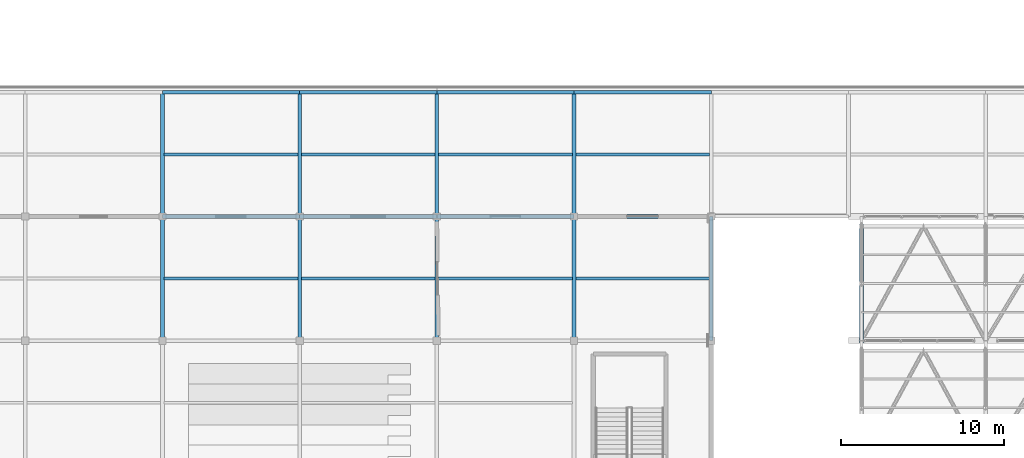
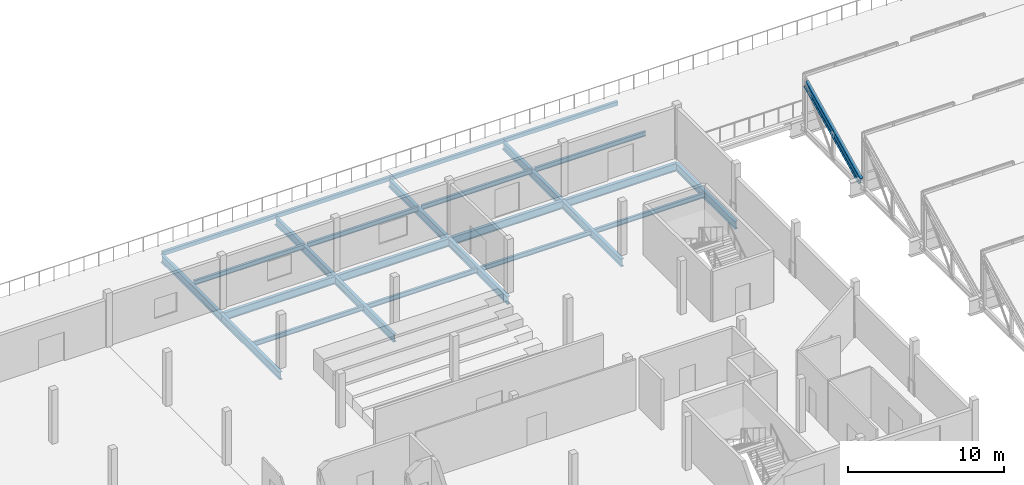
# One storey, part 16 of 57: 25 beams, 1 member.
"""IFC4 building model written with IfcOpenShell, lengths in metres."""

from ifc_helpers import new_model, si_unit, direction, frame, origin, origin_2d, place, context, subcontext, project, spatial, hollow_rectangle, i_section, extrude, material, material_profile, profile_set, type_object, element, save


model = new_model("IFC4")

# Units and contexts
model_context = context("Model", 3, precision=1e-05, world=origin(), true_north=direction((0.0, 1.0)))
body_context = subcontext(model_context, "Body", "Model", "MODEL_VIEW")
ifc_project = project(units=[si_unit("LENGTHUNIT", "METRE"), si_unit("AREAUNIT", "SQUARE_METRE"), si_unit("VOLUMEUNIT", "CUBIC_METRE"), si_unit("PLANEANGLEUNIT", "RADIAN"), si_unit("MASSUNIT", "GRAM", prefix="KILO")], contexts=[model_context])

# Site, building, storey
site_placement = place(None, origin())
site = spatial("IfcSite", under=ifc_project, at=site_placement, CompositionType="ELEMENT")
building_placement = place(site_placement, origin())
building = spatial("IfcBuilding", under=site, at=building_placement, Name="Zuvorla Pavilion Media Centre", CompositionType="ELEMENT")
storey_placement = place(building_placement, frame((0.0, 0.0, 18.0)))
storey = spatial("IfcBuildingStorey", under=building, at=storey_placement, Name="L04", CompositionType="ELEMENT", Elevation=18.0)

# Beams
ifc_material = material(Name="Steel S355", Category="steel")
ifc_material_profile_1 = material_profile(ifc_material, hollow_rectangle(XDim=0.199951171875, YDim=0.300048828125, WallThickness=0.012451171875, at=origin_2d()), Name="RHS 300x200x12.5")
ifc_profile_set_1 = profile_set([ifc_material_profile_1], Name="Steel S355")
beam_type_1 = type_object("IfcBeamType", Name="BM-SP-RHS300", PredefinedType="SPANDREL", material=ifc_profile_set_1)
beam_1_placement = place(storey_placement, frame((75.199951171875, 51.60009765625, -0.39794921875), z_axis=(1.0, 0.0, 0.0), x_axis=(0.0, 1.0, 0.0)))
element("IfcBeam", 1, at=beam_1_placement, inside=storey, type_object=beam_type_1, Name="L04 spandrel SP01 1341", PredefinedType="SPANDREL", context=body_context, shape_type="SweptSolid", body=[
    extrude(hollow_rectangle(XDim=0.199951171875, YDim=0.300048828125, WallThickness=0.012451171875, at=origin_2d()), origin(), (0.0, 0.0, 1.0), 8.400146484375),
])
for number, where, z_axis, x_axis, name in (
    (2, (83.60009765625, 51.60009765625, -0.39794921875), (1.0, 0.0, 0.0), (0.0, 1.0, 0.0), "L04 spandrel SP01 1342"),
    (3, (92.0, 51.60009765625, -0.39794921875), (1.0, 0.0, 0.0), (0.0, 1.0, 0.0), "L04 spandrel SP01 1343"),
):
    element("IfcBeam", number, at=place(storey_placement, frame(where, z_axis=z_axis, x_axis=x_axis)), inside=storey, type_object=beam_type_1, Name=name, PredefinedType="SPANDREL", context=body_context, shape_type="SweptSolid", body=[
        extrude(hollow_rectangle(XDim=0.199951171875, YDim=0.300048828125, WallThickness=0.012451171875, at=origin_2d()), origin(), (0.0, 0.0, 1.0), 8.39990234375),
    ])
beam_2_placement = place(storey_placement, frame((100.39990234375, 51.60009765625, -0.39794921875), z_axis=(1.0, 0.0, 0.0), x_axis=(0.0, 1.0, 0.0)))
element("IfcBeam", 4, at=beam_2_placement, inside=storey, type_object=beam_type_1, Name="L04 spandrel SP01 1344", PredefinedType="SPANDREL", context=body_context, shape_type="SweptSolid", body=[
    extrude(hollow_rectangle(XDim=0.199951171875, YDim=0.300048828125, WallThickness=0.012451171875, at=origin_2d()), origin(), (0.0, 0.0, 1.0), 8.400146484375),
])
ifc_material_profile_2 = material_profile(ifc_material, i_section(OverallWidth=0.172119140625, OverallDepth=0.35791015625, WebThickness=0.008056640625, FlangeThickness=0.012939453125, FilletRadius=0.01025390625, at=origin_2d()), Name="UB 356x171x57")
ifc_profile_set_2 = profile_set([ifc_material_profile_2], Name="Steel S355")
beam_type_2 = type_object("IfcBeamType", Name="BM-UB356", PredefinedType="JOIST", material=ifc_profile_set_2)
for number, where, z_axis, x_axis, name in (
    (5, (75.3095703125, 40.199951171875, -0.60693359375), (1.0, 0.0, 0.0), (0.0, 1.0, 0.0), "L04 joist J03 1503"),
    (6, (75.3095703125, 47.800048828125, -0.427001953125), (1.0, 0.0, 0.0), (0.0, 1.0, 0.0), "L04 joist J03 1504"),
    (7, (83.70947265625, 40.199951171875, -0.60693359375), (1.0, 0.0, 0.0), (0.0, 1.0, 0.0), "L04 joist J03 1510"),
    (8, (83.70947265625, 47.800048828125, -0.427001953125), (1.0, 0.0, 0.0), (0.0, 1.0, 0.0), "L04 joist J03 1511"),
    (9, (92.109619140625, 40.199951171875, -0.60693359375), (1.0, 0.0, 0.0), (0.0, 1.0, 0.0), "L04 joist J03 1515"),
    (10, (92.109619140625, 47.800048828125, -0.427001953125), (1.0, 0.0, 0.0), (0.0, 1.0, 0.0), "L04 joist J03 1516"),
    (11, (100.509521484375, 40.199951171875, -0.60693359375), (1.0, 0.0, 0.0), (0.0, 1.0, 0.0), "L04 joist J03 1520"),
    (12, (100.509521484375, 47.800048828125, -0.427001953125), (1.0, 0.0, 0.0), (0.0, 1.0, 0.0), "L04 joist J03 1521"),
):
    element("IfcBeam", number, at=place(storey_placement, frame(where, z_axis=z_axis, x_axis=x_axis)), inside=storey, type_object=beam_type_2, Name=name, PredefinedType="JOIST", context=body_context, shape_type="SweptSolid", body=[
        extrude(i_section(OverallWidth=0.172119140625, OverallDepth=0.35791015625, WebThickness=0.008056640625, FlangeThickness=0.012939453125, FilletRadius=0.01025390625, at=origin_2d()), origin(), (0.0, 0.0, 1.0), 8.180908203125),
    ])
ifc_material_profile_3 = material_profile(ifc_material, i_section(OverallWidth=0.22900390625, OverallDepth=0.6123046875, WebThickness=0.011962890625, FlangeThickness=0.01953125, FilletRadius=0.0126953125, at=origin_2d()), Name="UB 610x229x125")
ifc_profile_set_3 = profile_set([ifc_material_profile_3], Name="Steel S355")
beam_type_3 = type_object("IfcBeamType", Name="BM-UB610", PredefinedType="BEAM", material=ifc_profile_set_3)
beam_3_placement = place(storey_placement, frame((75.199951171875, 44.0, -0.734130859375), z_axis=(1.0, 0.0, 0.0), x_axis=(0.0, 1.0, 0.0)))
element("IfcBeam", 13, at=beam_3_placement, inside=storey, type_object=beam_type_3, Name="L04 beam B07 1324", PredefinedType="BEAM", context=body_context, shape_type="SweptSolid", body=[
    extrude(i_section(OverallWidth=0.22900390625, OverallDepth=0.6123046875, WebThickness=0.011962890625, FlangeThickness=0.01953125, FilletRadius=0.0126953125, at=origin_2d()), origin(), (0.0, 0.0, 1.0), 8.400146484375),
])
for number, where, z_axis, x_axis, name in (
    (14, (83.60009765625, 44.0, -0.734130859375), (1.0, 0.0, 0.0), (0.0, 1.0, 0.0), "L04 beam B07 1325"),
    (15, (92.0, 44.0, -0.734130859375), (1.0, 0.0, 0.0), (0.0, 1.0, 0.0), "L04 beam B07 1326"),
):
    element("IfcBeam", number, at=place(storey_placement, frame(where, z_axis=z_axis, x_axis=x_axis)), inside=storey, type_object=beam_type_3, Name=name, PredefinedType="BEAM", context=body_context, shape_type="SweptSolid", body=[
        extrude(i_section(OverallWidth=0.22900390625, OverallDepth=0.6123046875, WebThickness=0.011962890625, FlangeThickness=0.01953125, FilletRadius=0.0126953125, at=origin_2d()), origin(), (0.0, 0.0, 1.0), 8.39990234375),
    ])
beam_4_placement = place(storey_placement, frame((100.39990234375, 44.0, -0.734130859375), z_axis=(1.0, 0.0, 0.0), x_axis=(0.0, 1.0, 0.0)))
element("IfcBeam", 16, at=beam_4_placement, inside=storey, type_object=beam_type_3, Name="L04 beam B07 1327", PredefinedType="BEAM", context=body_context, shape_type="SweptSolid", body=[
    extrude(i_section(OverallWidth=0.22900390625, OverallDepth=0.6123046875, WebThickness=0.011962890625, FlangeThickness=0.01953125, FilletRadius=0.0126953125, at=origin_2d()), origin(), (0.0, 0.0, 1.0), 8.400146484375),
])
for number, where, z_axis, x_axis, name in (
    (17, (75.199951171875, 36.39990234375, -0.734130859375), (0.0, 1.0, 0.0), (-1.0, 0.0, 0.0), "L04 beam B07 1425"),
    (18, (75.199951171875, 44.0, -0.734130859375), (0.0, 1.0, 0.0), (-1.0, 0.0, 0.0), "L04 beam B07 1426"),
    (19, (83.60009765625, 36.39990234375, -0.734130859375), (0.0, 1.0, 0.0), (-1.0, 0.0, 0.0), "L04 beam B07 1432"),
    (20, (83.60009765625, 44.0, -0.734130859375), (0.0, 1.0, 0.0), (-1.0, 0.0, 0.0), "L04 beam B07 1433"),
    (21, (92.0, 36.39990234375, -0.734130859375), (0.0, 1.0, 0.0), (-1.0, 0.0, 0.0), "L04 beam B07 1439"),
    (22, (92.0, 44.0, -0.734130859375), (0.0, 1.0, 0.0), (-1.0, 0.0, 0.0), "L04 beam B07 1440"),
    (23, (100.39990234375, 36.39990234375, -0.734130859375), (0.0, 1.0, 0.0), (-1.0, 0.0, 0.0), "L04 beam B07 1446"),
    (24, (100.39990234375, 44.0, -0.734130859375), (0.0, 1.0, 0.0), (-1.0, 0.0, 0.0), "L04 beam B07 1447"),
    (25, (108.800048828125, 36.39990234375, -0.734130859375), (0.0, 1.0, 0.0), (-1.0, 0.0, 0.0), "L04 beam B07 1453"),
):
    element("IfcBeam", number, at=place(storey_placement, frame(where, z_axis=z_axis, x_axis=x_axis)), inside=storey, type_object=beam_type_3, Name=name, PredefinedType="BEAM", context=body_context, shape_type="SweptSolid", body=[
        extrude(i_section(OverallWidth=0.22900390625, OverallDepth=0.6123046875, WebThickness=0.011962890625, FlangeThickness=0.01953125, FilletRadius=0.0126953125, at=origin_2d()), origin(), (0.0, 0.0, 1.0), 7.60009765625),
    ])

# Member
ifc_material_profile_4 = material_profile(ifc_material, i_section(OverallWidth=0.22900390625, OverallDepth=0.6123046875, WebThickness=0.011962890625, FlangeThickness=0.01953125, FilletRadius=0.0126953125, at=origin_2d()), Name="UB 610x229x125")
ifc_profile_set_4 = profile_set([ifc_material_profile_4], Name="Steel S355")
member_type = type_object("IfcMemberType", Name="MEM-CHD-UB610", PredefinedType="CHORD", material=ifc_profile_set_4)
member_placement = place(storey_placement, frame((118.0, 36.39990234375, -0.517822265625), z_axis=(0.0, 0.899513090263, 0.436893809117), x_axis=(-1.0, 0.0, 0.0)))
element("IfcMember", 26, at=member_placement, inside=storey, type_object=member_type, Name="L04 chord TC01 739", PredefinedType="CHORD", context=body_context, shape_type="SweptSolid", body=[
    extrude(i_section(OverallWidth=0.22900390625, OverallDepth=0.6123046875, WebThickness=0.011962890625, FlangeThickness=0.01953125, FilletRadius=0.0126953125, at=origin_2d()), origin(), (0.0, 0.0, 1.0), 7.781982421875),
])

save(model, "model.ifc")
